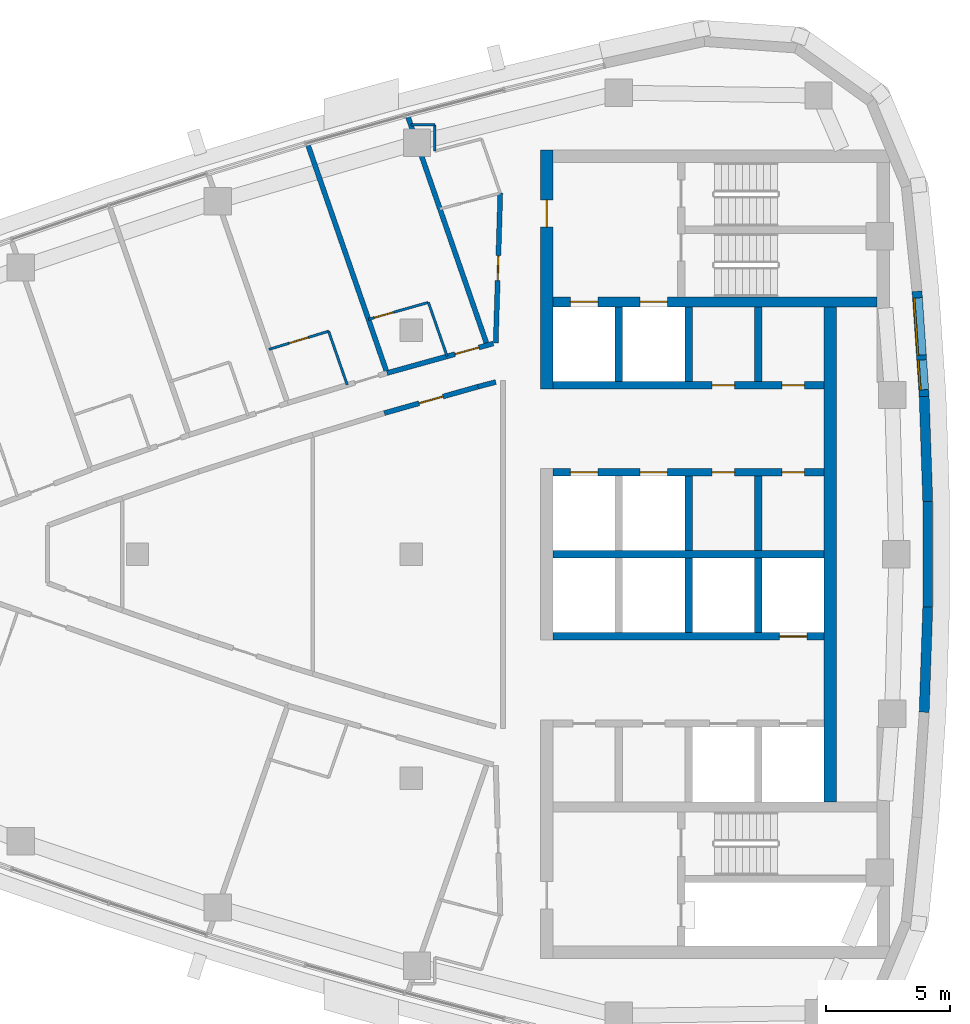
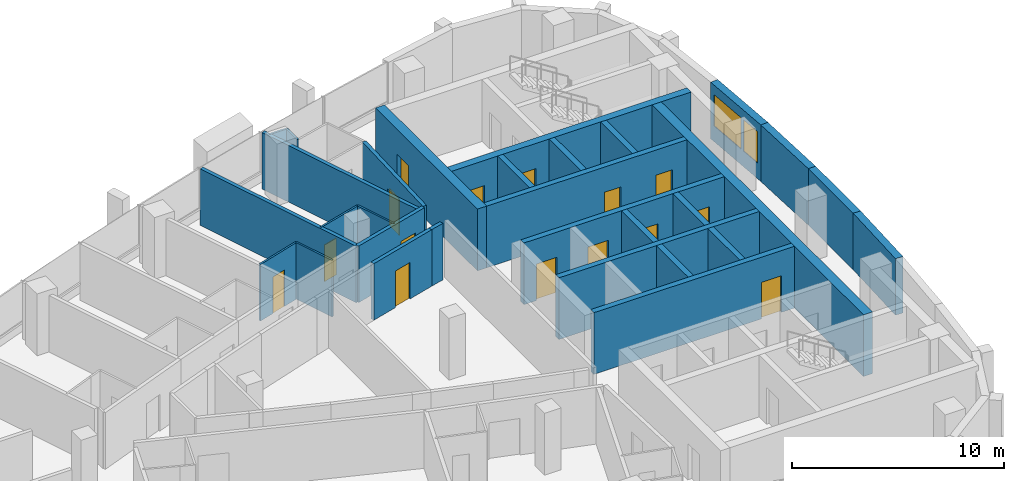
# One storey, part 9 of 14: 30 walls, 15 doors, 2 windows, 17 openings.
"""IFC4 building model written with IfcOpenShell, lengths in metres."""

from ifc_helpers import new_model, si_unit, direction, frame, frame_2d, origin, place, context, subcontext, project, spatial, polyline, rectangle, outline, extrude, material, layer, layer_set, type_object, element, fill, save


model = new_model("IFC4")

# Units and contexts
model_context = context("Model", 3, precision=1e-05, world=origin(), true_north=direction((0.0, 1.0)))
body_context = subcontext(model_context, "Body", "Model", "MODEL_VIEW")
ifc_project = project(units=[si_unit("LENGTHUNIT", "METRE"), si_unit("AREAUNIT", "SQUARE_METRE"), si_unit("VOLUMEUNIT", "CUBIC_METRE"), si_unit("PLANEANGLEUNIT", "RADIAN"), si_unit("MASSUNIT", "GRAM", prefix="KILO")], contexts=[model_context])

# Site, building, storey
site_placement = place(None, origin())
site = spatial("IfcSite", under=ifc_project, at=site_placement, CompositionType="ELEMENT")
building_placement = place(site_placement, origin())
building = spatial("IfcBuilding", under=site, at=building_placement, Name="Ostrand Prow Hotel Tower", CompositionType="ELEMENT")
storey_placement = place(building_placement, frame((0.0, 0.0, 289.199951171875)))
storey = spatial("IfcBuildingStorey", under=building, at=storey_placement, Name="L73", CompositionType="ELEMENT", Elevation=289.199951171875)

# Wall
ifc_material_1 = material(Name="Concrete C50/60", Category="concrete")
ifc_layer_1 = layer(ifc_material_1, 0.300048828125)
ifc_layer_set_1 = layer_set([ifc_layer_1], Name="Concrete C50/60")
wall_type_1 = type_object("IfcWallType", Name="Core wall 300 C50/60", PredefinedType="SHEAR", material=ifc_layer_set_1)
wall_1_placement = place(storey_placement, frame((50.699951171875, 0.0, 0.0), z_axis=(0.0, 0.0, 1.0), x_axis=(1.0, 0.0, 0.0)))
element("IfcWall", 1, at=wall_1_placement, inside=storey, type_object=wall_type_1, Name="Core wall PW-C", PredefinedType="SHEAR", context=body_context, shape_type="SweptSolid", body=[
    extrude(rectangle(XDim=10.900146484375, YDim=0.300048828125, at=frame_2d((5.4501953125, 0.0))), origin(), (0.0, 0.0, 1.0), 3.550048828125),
])

# Wall, openings, doors
wall_2_placement = place(storey_placement, frame((50.699951171875, 3.300048828125, 0.0), z_axis=(0.0, 0.0, 1.0), x_axis=(1.0, 0.0, 0.0)))
wall_2 = element("IfcWall", 2, at=wall_2_placement, inside=storey, type_object=wall_type_1, Name="Core wall PW-L1-N", PredefinedType="SHEAR", context=body_context, shape_type="SweptSolid", body=[
    extrude(rectangle(XDim=10.900146484375, YDim=0.300048828125, at=frame_2d((5.4501953125, 0.0))), origin(), (0.0, 0.0, 1.0), 3.550048828125),
])
opening_1_placement = place(wall_2_placement, frame((0.699951171875, 0.0, 0.0)))
opening_1 = element("IfcOpeningElement", 3, at=opening_1_placement, cuts=wall_2, Name="Opening LD", PredefinedType="OPENING", context=body_context, shape_type="SweptSolid", body=[
    extrude(rectangle(XDim=1.10009765625, YDim=2.10009765625, at=frame_2d((0.550048828125, 1.050048828125))), frame((0.0, 0.159912109375, 0.0), z_axis=(0.0, -1.0, 0.0), x_axis=(1.0, 0.0, 0.0)), (0.0, 0.0, 1.0), 0.320068359375),
])
opening_2_placement = place(wall_2_placement, frame((3.5, 0.0, 0.0)))
opening_2 = element("IfcOpeningElement", 4, at=opening_2_placement, cuts=wall_2, Name="Opening LD", PredefinedType="OPENING", context=body_context, shape_type="SweptSolid", body=[
    extrude(rectangle(XDim=1.10009765625, YDim=2.10009765625, at=frame_2d((0.550048828125, 1.050048828125))), frame((0.0, 0.159912109375, 0.0), z_axis=(0.0, -1.0, 0.0), x_axis=(1.0, 0.0, 0.0)), (0.0, 0.0, 1.0), 0.320068359375),
])
opening_3_placement = place(wall_2_placement, frame((6.39990234375, 0.0, 0.0)))
opening_3 = element("IfcOpeningElement", 5, at=opening_3_placement, cuts=wall_2, Name="Opening FD2", PredefinedType="OPENING", context=body_context, shape_type="SweptSolid", body=[
    extrude(rectangle(XDim=0.89990234375, YDim=2.10009765625, at=frame_2d((0.449951171875, 1.050048828125))), frame((0.0, 0.159912109375, 0.0), z_axis=(0.0, -1.0, 0.0), x_axis=(1.0, 0.0, 0.0)), (0.0, 0.0, 1.0), 0.320068359375),
])
opening_4_placement = place(wall_2_placement, frame((9.199951171875, 0.0, 0.0)))
opening_4 = element("IfcOpeningElement", 6, at=opening_4_placement, cuts=wall_2, Name="Opening FD2", PredefinedType="OPENING", context=body_context, shape_type="SweptSolid", body=[
    extrude(rectangle(XDim=0.89990234375, YDim=2.10009765625, at=frame_2d((0.449951171875, 1.050048828125))), frame((0.0, 0.159912109375, 0.0), z_axis=(0.0, -1.0, 0.0), x_axis=(1.0, 0.0, 0.0)), (0.0, 0.0, 1.0), 0.320068359375),
])
ifc_material_2 = material(Name="Steel fire door", Category="steel")
door_type_1 = type_object("IfcDoorType", Name="Fire door 900 EI120", OperationType="SINGLE_SWING_LEFT", PredefinedType="DOOR", material=ifc_material_2)
door_1_placement = place(opening_3_placement, origin())
door_1 = element("IfcDoor", 7, at=door_1_placement, inside=storey, type_object=door_type_1, Name="DOOR", OperationType="SINGLE_SWING_LEFT", OverallHeight=2.10009765625, OverallWidth=0.89990234375, PredefinedType="DOOR", context=body_context, shape_type="SweptSolid", body=[
    extrude(rectangle(XDim=0.89990234375, YDim=2.10009765625, at=frame_2d((0.449951171875, 1.050048828125))), frame((0.0, 0.02490234375, 0.0), z_axis=(0.0, -1.0, 0.0), x_axis=(1.0, 0.0, 0.0)), (0.0, 0.0, 1.0), 0.050048828125),
])
fill(opening_3, door_1)
door_2_placement = place(opening_4_placement, origin())
door_2 = element("IfcDoor", 8, at=door_2_placement, inside=storey, type_object=door_type_1, Name="DOOR", OperationType="SINGLE_SWING_LEFT", OverallHeight=2.10009765625, OverallWidth=0.89990234375, PredefinedType="DOOR", context=body_context, shape_type="SweptSolid", body=[
    extrude(rectangle(XDim=0.89990234375, YDim=2.10009765625, at=frame_2d((0.449951171875, 1.050048828125))), frame((0.0, 0.02490234375, 0.0), z_axis=(0.0, -1.0, 0.0), x_axis=(1.0, 0.0, 0.0)), (0.0, 0.0, 1.0), 0.050048828125),
])
fill(opening_4, door_2)
ifc_material_3 = material(Name="Stainless steel door", Category="steel")
door_type_2 = type_object("IfcDoorType", Name="Lift landing door 1100", OperationType="DOUBLE_DOOR_SLIDING", PredefinedType="DOOR", material=ifc_material_3)
door_3_placement = place(opening_1_placement, origin())
door_3 = element("IfcDoor", 9, at=door_3_placement, inside=storey, type_object=door_type_2, Name="LIFT LANDING DOOR", OperationType="DOUBLE_DOOR_SLIDING", OverallHeight=2.10009765625, OverallWidth=1.10009765625, PredefinedType="DOOR", context=body_context, shape_type="SweptSolid", body=[
    extrude(rectangle(XDim=1.10009765625, YDim=2.10009765625, at=frame_2d((0.550048828125, 1.050048828125))), frame((0.0, 0.02490234375, 0.0), z_axis=(0.0, -1.0, 0.0), x_axis=(1.0, 0.0, 0.0)), (0.0, 0.0, 1.0), 0.050048828125),
])
fill(opening_1, door_3)
door_4_placement = place(opening_2_placement, origin())
door_4 = element("IfcDoor", 10, at=door_4_placement, inside=storey, type_object=door_type_2, Name="LIFT LANDING DOOR", OperationType="DOUBLE_DOOR_SLIDING", OverallHeight=2.10009765625, OverallWidth=1.10009765625, PredefinedType="DOOR", context=body_context, shape_type="SweptSolid", body=[
    extrude(rectangle(XDim=1.10009765625, YDim=2.10009765625, at=frame_2d((0.550048828125, 1.050048828125))), frame((0.0, 0.02490234375, 0.0), z_axis=(0.0, -1.0, 0.0), x_axis=(1.0, 0.0, 0.0)), (0.0, 0.0, 1.0), 0.050048828125),
])
fill(opening_2, door_4)

wall_3_placement = place(storey_placement, frame((50.699951171875, 6.800048828125, 0.0), z_axis=(0.0, 0.0, 1.0), x_axis=(1.0, 0.0, 0.0)))
wall_3 = element("IfcWall", 11, at=wall_3_placement, inside=storey, type_object=wall_type_1, Name="Core wall PW-L2-N", PredefinedType="SHEAR", context=body_context, shape_type="SweptSolid", body=[
    extrude(rectangle(XDim=10.900146484375, YDim=0.300048828125, at=frame_2d((5.4501953125, 0.0))), origin(), (0.0, 0.0, 1.0), 3.550048828125),
])
opening_5_placement = place(wall_3_placement, frame((6.39990234375, 0.0, 0.0)))
opening_5 = element("IfcOpeningElement", 12, at=opening_5_placement, cuts=wall_3, Name="Opening FD2", PredefinedType="OPENING", context=body_context, shape_type="SweptSolid", body=[
    extrude(rectangle(XDim=0.89990234375, YDim=2.10009765625, at=frame_2d((0.449951171875, 1.050048828125))), frame((0.0, 0.159912109375, 0.0), z_axis=(0.0, -1.0, 0.0), x_axis=(1.0, 0.0, 0.0)), (0.0, 0.0, 1.0), 0.320068359375),
])
opening_6_placement = place(wall_3_placement, frame((9.199951171875, 0.0, 0.0)))
opening_6 = element("IfcOpeningElement", 13, at=opening_6_placement, cuts=wall_3, Name="Opening FD2", PredefinedType="OPENING", context=body_context, shape_type="SweptSolid", body=[
    extrude(rectangle(XDim=0.89990234375, YDim=2.10009765625, at=frame_2d((0.449951171875, 1.050048828125))), frame((0.0, 0.159912109375, 0.0), z_axis=(0.0, -1.0, 0.0), x_axis=(1.0, 0.0, 0.0)), (0.0, 0.0, 1.0), 0.320068359375),
])
door_5_placement = place(opening_5_placement, origin())
door_5 = element("IfcDoor", 14, at=door_5_placement, inside=storey, type_object=door_type_1, Name="DOOR", OperationType="SINGLE_SWING_LEFT", OverallHeight=2.10009765625, OverallWidth=0.89990234375, PredefinedType="DOOR", context=body_context, shape_type="SweptSolid", body=[
    extrude(rectangle(XDim=0.89990234375, YDim=2.10009765625, at=frame_2d((0.449951171875, 1.050048828125))), frame((0.0, 0.02490234375, 0.0), z_axis=(0.0, -1.0, 0.0), x_axis=(1.0, 0.0, 0.0)), (0.0, 0.0, 1.0), 0.050048828125),
])
fill(opening_5, door_5)
door_6_placement = place(opening_6_placement, origin())
door_6 = element("IfcDoor", 15, at=door_6_placement, inside=storey, type_object=door_type_1, Name="DOOR", OperationType="SINGLE_SWING_LEFT", OverallHeight=2.10009765625, OverallWidth=0.89990234375, PredefinedType="DOOR", context=body_context, shape_type="SweptSolid", body=[
    extrude(rectangle(XDim=0.89990234375, YDim=2.10009765625, at=frame_2d((0.449951171875, 1.050048828125))), frame((0.0, 0.02490234375, 0.0), z_axis=(0.0, -1.0, 0.0), x_axis=(1.0, 0.0, 0.0)), (0.0, 0.0, 1.0), 0.050048828125),
])
fill(opening_6, door_6)

# Walls
for number, where, z_axis, x_axis, name in (
    (16, (53.35009765625, 6.949951171875, 0.0), (0.0, 0.0, 1.0), (0.0, 1.0, 0.0), "Core wall PW-R1-NA"),
    (17, (56.14990234375, 0.14990234375, 0.0), (0.0, 0.0, 1.0), (0.0, 1.0, 0.0), "Core wall PW-R2-NB"),
    (18, (56.14990234375, 6.949951171875, 0.0), (0.0, 0.0, 1.0), (0.0, 1.0, 0.0), "Core wall PW-R2-NA"),
    (19, (58.949951171875, 0.14990234375, 0.0), (0.0, 0.0, 1.0), (0.0, 1.0, 0.0), "Core wall PW-R3-NB"),
    (20, (58.949951171875, 6.949951171875, 0.0), (0.0, 0.0, 1.0), (0.0, 1.0, 0.0), "Core wall PW-R3-NA"),
):
    element("IfcWall", number, at=place(storey_placement, frame(where, z_axis=z_axis, x_axis=x_axis)), inside=storey, type_object=wall_type_1, Name=name, PredefinedType="SHEAR", context=body_context, shape_type="SweptSolid", body=[
        extrude(rectangle(XDim=3.0, YDim=0.300048828125, at=frame_2d((1.5, 0.0))), origin(), (0.0, 0.0, 1.0), 3.550048828125),
    ])

# Wall, opening, door
wall_4_placement = place(storey_placement, frame((50.699951171875, -3.300048828125, 0.0), z_axis=(0.0, 0.0, 1.0), x_axis=(1.0, 0.0, 0.0)))
wall_4 = element("IfcWall", 21, at=wall_4_placement, inside=storey, type_object=wall_type_1, Name="Core wall PW-L1-S", PredefinedType="SHEAR", context=body_context, shape_type="SweptSolid", body=[
    extrude(rectangle(XDim=10.900146484375, YDim=0.300048828125, at=frame_2d((5.4501953125, 0.0))), origin(), (0.0, 0.0, 1.0), 3.550048828125),
])
opening_7_placement = place(wall_4_placement, frame((9.10009765625, 0.0, 0.0)))
opening_7 = element("IfcOpeningElement", 22, at=opening_7_placement, cuts=wall_4, Name="Opening LD", PredefinedType="OPENING", context=body_context, shape_type="SweptSolid", body=[
    extrude(rectangle(XDim=1.10009765625, YDim=2.10009765625, at=frame_2d((0.550048828125, 1.050048828125))), frame((0.0, 0.159912109375, 0.0), z_axis=(0.0, -1.0, 0.0), x_axis=(1.0, 0.0, 0.0)), (0.0, 0.0, 1.0), 0.320068359375),
])
door_7_placement = place(opening_7_placement, origin())
door_7 = element("IfcDoor", 23, at=door_7_placement, inside=storey, type_object=door_type_2, Name="LIFT LANDING DOOR", OperationType="DOUBLE_DOOR_SLIDING", OverallHeight=2.10009765625, OverallWidth=1.10009765625, PredefinedType="DOOR", context=body_context, shape_type="SweptSolid", body=[
    extrude(rectangle(XDim=1.10009765625, YDim=2.10009765625, at=frame_2d((0.550048828125, 1.050048828125))), frame((0.0, 0.02490234375, 0.0), z_axis=(0.0, -1.0, 0.0), x_axis=(1.0, 0.0, 0.0)), (0.0, 0.0, 1.0), 0.050048828125),
])
fill(opening_7, door_7)

# Walls
for number, where, z_axis, x_axis, name in (
    (24, (56.14990234375, -3.14990234375, 0.0), (0.0, 0.0, 1.0), (0.0, 1.0, 0.0), "Core wall PW-R2-SB"),
    (25, (58.949951171875, -3.14990234375, 0.0), (0.0, 0.0, 1.0), (0.0, 1.0, 0.0), "Core wall PW-R3-SB"),
):
    element("IfcWall", number, at=place(storey_placement, frame(where, z_axis=z_axis, x_axis=x_axis)), inside=storey, type_object=wall_type_1, Name=name, PredefinedType="SHEAR", context=body_context, shape_type="SweptSolid", body=[
        extrude(rectangle(XDim=3.0, YDim=0.300048828125, at=frame_2d((1.5, 0.0))), origin(), (0.0, 0.0, 1.0), 3.550048828125),
    ])

# Wall, openings, doors
ifc_material_4 = material(Name="Concrete C50/60", Category="concrete")
ifc_layer_2 = layer(ifc_material_4, 0.39990234375)
ifc_layer_set_2 = layer_set([ifc_layer_2], Name="Concrete C50/60")
wall_type_2 = type_object("IfcWallType", Name="Core wall 400 C50/60", PredefinedType="SHEAR", material=ifc_layer_set_2)
wall_5_placement = place(storey_placement, frame((50.699951171875, 10.14990234375, 0.0), z_axis=(0.0, 0.0, 1.0), x_axis=(1.0, 0.0, 0.0)))
wall_5 = element("IfcWall", 26, at=wall_5_placement, inside=storey, type_object=wall_type_2, Name="Core wall PW-BN", PredefinedType="SHEAR", context=body_context, shape_type="SweptSolid", body=[
    extrude(rectangle(XDim=13.02001953125, YDim=0.39990234375, at=frame_2d((6.510009765625, 0.0))), origin(), (0.0, 0.0, 1.0), 3.550048828125),
])
opening_8_placement = place(wall_5_placement, frame((0.699951171875, 0.0, 0.0)))
opening_8 = element("IfcOpeningElement", 27, at=opening_8_placement, cuts=wall_5, Name="Opening LD", PredefinedType="OPENING", context=body_context, shape_type="SweptSolid", body=[
    extrude(rectangle(XDim=1.10009765625, YDim=2.10009765625, at=frame_2d((0.550048828125, 1.050048828125))), frame((0.0, 0.2099609375, 0.0), z_axis=(0.0, -1.0, 0.0), x_axis=(1.0, 0.0, 0.0)), (0.0, 0.0, 1.0), 0.419921875),
])
opening_9_placement = place(wall_5_placement, frame((3.5, 0.0, 0.0)))
opening_9 = element("IfcOpeningElement", 28, at=opening_9_placement, cuts=wall_5, Name="Opening LD", PredefinedType="OPENING", context=body_context, shape_type="SweptSolid", body=[
    extrude(rectangle(XDim=1.10009765625, YDim=2.10009765625, at=frame_2d((0.550048828125, 1.050048828125))), frame((0.0, 0.2099609375, 0.0), z_axis=(0.0, -1.0, 0.0), x_axis=(1.0, 0.0, 0.0)), (0.0, 0.0, 1.0), 0.419921875),
])
door_8_placement = place(opening_8_placement, origin())
door_8 = element("IfcDoor", 29, at=door_8_placement, inside=storey, type_object=door_type_2, Name="LIFT LANDING DOOR", OperationType="DOUBLE_DOOR_SLIDING", OverallHeight=2.10009765625, OverallWidth=1.10009765625, PredefinedType="DOOR", context=body_context, shape_type="SweptSolid", body=[
    extrude(rectangle(XDim=1.10009765625, YDim=2.10009765625, at=frame_2d((0.550048828125, 1.050048828125))), frame((0.0, 0.02490234375, 0.0), z_axis=(0.0, -1.0, 0.0), x_axis=(1.0, 0.0, 0.0)), (0.0, 0.0, 1.0), 0.050048828125),
])
fill(opening_8, door_8)
door_9_placement = place(opening_9_placement, origin())
door_9 = element("IfcDoor", 30, at=door_9_placement, inside=storey, type_object=door_type_2, Name="LIFT LANDING DOOR", OperationType="DOUBLE_DOOR_SLIDING", OverallHeight=2.10009765625, OverallWidth=1.10009765625, PredefinedType="DOOR", context=body_context, shape_type="SweptSolid", body=[
    extrude(rectangle(XDim=1.10009765625, YDim=2.10009765625, at=frame_2d((0.550048828125, 1.050048828125))), frame((0.0, 0.02490234375, 0.0), z_axis=(0.0, -1.0, 0.0), x_axis=(1.0, 0.0, 0.0)), (0.0, 0.0, 1.0), 0.050048828125),
])
fill(opening_9, door_9)

# Wall, opening, door
ifc_material_5 = material(Name="Concrete C50/60", Category="concrete")
ifc_layer_3 = layer(ifc_material_5, 0.5)
ifc_layer_set_3 = layer_set([ifc_layer_3], Name="Concrete C50/60")
wall_type_3 = type_object("IfcWallType", Name="Core wall 500 C50/60", PredefinedType="SHEAR", material=ifc_layer_set_3)
wall_6_placement = place(storey_placement, frame((50.449951171875, 6.64990234375, 0.0), z_axis=(0.0, 0.0, 1.0), x_axis=(0.0, 1.0, 0.0)))
wall_6 = element("IfcWall", 31, at=wall_6_placement, inside=storey, type_object=wall_type_3, Name="Core wall CW-W-N", PredefinedType="SHEAR", context=body_context, shape_type="SweptSolid", body=[
    extrude(rectangle(XDim=9.60009765625, YDim=0.5, at=frame_2d((4.800048828125, 0.0))), origin(), (0.0, 0.0, 1.0), 3.550048828125),
])
opening_10_placement = place(wall_6_placement, frame((6.5, 0.0, 0.0)))
opening_10 = element("IfcOpeningElement", 32, at=opening_10_placement, cuts=wall_6, Name="Opening FD1", PredefinedType="OPENING", context=body_context, shape_type="SweptSolid", body=[
    extrude(rectangle(XDim=1.10009765625, YDim=2.10009765625, at=frame_2d((0.550048828125, 1.050048828125))), frame((0.0, 0.260009765625, 0.0), z_axis=(0.0, -1.0, 0.0), x_axis=(1.0, 0.0, 0.0)), (0.0, 0.0, 1.0), 0.52001953125),
])
ifc_material_6 = material(Name="Steel fire door", Category="steel")
door_type_3 = type_object("IfcDoorType", Name="Fire door 1100 EI120", OperationType="SINGLE_SWING_RIGHT", PredefinedType="DOOR", material=ifc_material_6)
door_10_placement = place(opening_10_placement, origin())
door_10 = element("IfcDoor", 33, at=door_10_placement, inside=storey, type_object=door_type_3, Name="FIRE DOOR", OperationType="SINGLE_SWING_RIGHT", OverallHeight=2.10009765625, OverallWidth=1.10009765625, PredefinedType="DOOR", context=body_context, shape_type="SweptSolid", body=[
    extrude(rectangle(XDim=1.10009765625, YDim=2.10009765625, at=frame_2d((0.550048828125, 1.050048828125))), frame((0.0, 0.02490234375, 0.0), z_axis=(0.0, -1.0, 0.0), x_axis=(1.0, 0.0, 0.0)), (0.0, 0.0, 1.0), 0.050048828125),
])
fill(opening_10, door_10)

# Wall
wall_7_placement = place(storey_placement, frame((61.85009765625, -9.949951171875, 0.0), z_axis=(0.0, 0.0, 1.0), x_axis=(0.0, 1.0, 0.0)))
element("IfcWall", 34, at=wall_7_placement, inside=storey, type_object=wall_type_3, Name="Core wall CW-E-C", PredefinedType="SHEAR", context=body_context, shape_type="SweptSolid", body=[
    extrude(rectangle(XDim=19.89990234375, YDim=0.5, at=frame_2d((9.949951171875, 0.0))), origin(), (0.0, 0.0, 1.0), 3.550048828125),
])

# Wall, opening, door
ifc_material_7 = material(Name="Plasterboard partition")
ifc_layer_4 = layer(ifc_material_7, 0.10009765625)
ifc_layer_set_4 = layer_set([ifc_layer_4], Name="Plasterboard partition")
wall_type_4 = type_object("IfcWallType", Name="Partition 100 bathroom wall", PredefinedType="PARTITIONING", material=ifc_layer_set_4)
wall_8_placement = place(storey_placement, frame((39.287841796875, 8.23828125, 0.0), z_axis=(0.0, 0.0, 1.0), x_axis=(0.956723503196, 0.290998519638, 0.0)))
wall_8 = element("IfcWall", 35, at=wall_8_placement, inside=storey, type_object=wall_type_4, Name="BATHROOM WALL", PredefinedType="PARTITIONING", context=body_context, shape_type="SweptSolid", body=[
    extrude(rectangle(XDim=2.501708984375, YDim=0.10009765625, at=frame_2d((1.2509765625, 0.0))), origin(), (0.0, 0.0, 1.0), 3.25),
])
opening_11_placement = place(wall_8_placement, frame((0.85009765625, 0.0, 0.0)))
opening_11 = element("IfcOpeningElement", 36, at=opening_11_placement, cuts=wall_8, Name="Opening D2", PredefinedType="OPENING", context=body_context, shape_type="SweptSolid", body=[
    extrude(rectangle(XDim=0.800048828125, YDim=2.10009765625, at=frame_2d((0.39990234375, 1.050048828125))), frame((0.0, 0.06005859375, 0.0), z_axis=(0.0, -1.0, 0.0), x_axis=(1.0, 0.0, 0.0)), (0.0, 0.0, 1.0), 0.1201171875),
])
ifc_material_8 = material(Name="Timber door leaf", Category="wood")
door_type_4 = type_object("IfcDoorType", Name="Bathroom door 800", OperationType="SINGLE_SWING_LEFT", PredefinedType="DOOR", material=ifc_material_8)
door_11_placement = place(opening_11_placement, origin())
door_11 = element("IfcDoor", 37, at=door_11_placement, inside=storey, type_object=door_type_4, Name="DOOR", OperationType="SINGLE_SWING_LEFT", OverallHeight=2.10009765625, OverallWidth=0.800048828125, PredefinedType="DOOR", context=body_context, shape_type="SweptSolid", body=[
    extrude(rectangle(XDim=0.800048828125, YDim=2.10009765625, at=frame_2d((0.39990234375, 1.050048828125))), frame((0.0, 0.02490234375, 0.0), z_axis=(0.0, -1.0, 0.0), x_axis=(1.0, 0.0, 0.0)), (0.0, 0.0, 1.0), 0.050048828125),
])
fill(opening_11, door_11)

# Wall
wall_9_placement = place(storey_placement, frame((41.681396484375, 8.966064453125, 0.0), z_axis=(0.0, 0.0, 1.0), x_axis=(0.327743427431, -0.944766767925, 0.0)))
element("IfcWall", 38, at=wall_9_placement, inside=storey, type_object=wall_type_4, Name="BATHROOM WALL", PredefinedType="PARTITIONING", context=body_context, shape_type="SweptSolid", body=[
    extrude(rectangle(XDim=2.27880859375, YDim=0.10009765625, at=frame_2d((1.139404296875, 0.0))), origin(), (0.0, 0.0, 1.0), 3.25),
])

# Wall, opening, door
wall_10_placement = place(storey_placement, frame((43.28271484375, 9.443603515625, 0.0), z_axis=(0.0, 0.0, 1.0), x_axis=(0.962409173596, 0.271603723424, 0.0)))
wall_10 = element("IfcWall", 39, at=wall_10_placement, inside=storey, type_object=wall_type_4, Name="BATHROOM WALL", PredefinedType="PARTITIONING", context=body_context, shape_type="SweptSolid", body=[
    extrude(rectangle(XDim=2.50439453125, YDim=0.10009765625, at=frame_2d((1.252197265625, 0.0))), origin(), (0.0, 0.0, 1.0), 3.25),
])
opening_12_placement = place(wall_10_placement, frame((0.25, 0.0, 0.0)))
opening_12 = element("IfcOpeningElement", 40, at=opening_12_placement, cuts=wall_10, Name="Opening D2", PredefinedType="OPENING", context=body_context, shape_type="SweptSolid", body=[
    extrude(rectangle(XDim=0.800048828125, YDim=2.10009765625, at=frame_2d((0.39990234375, 1.050048828125))), frame((0.0, 0.06005859375, 0.0), z_axis=(0.0, -1.0, 0.0), x_axis=(1.0, 0.0, 0.0)), (0.0, 0.0, 1.0), 0.1201171875),
])
door_12_placement = place(opening_12_placement, origin())
door_12 = element("IfcDoor", 41, at=door_12_placement, inside=storey, type_object=door_type_4, Name="DOOR", OperationType="SINGLE_SWING_LEFT", OverallHeight=2.10009765625, OverallWidth=0.800048828125, PredefinedType="DOOR", context=body_context, shape_type="SweptSolid", body=[
    extrude(rectangle(XDim=0.800048828125, YDim=2.10009765625, at=frame_2d((0.39990234375, 1.050048828125))), frame((0.0, 0.02490234375, 0.0), z_axis=(0.0, -1.0, 0.0), x_axis=(1.0, 0.0, 0.0)), (0.0, 0.0, 1.0), 0.050048828125),
])
fill(opening_12, door_12)

# Walls
wall_11_placement = place(storey_placement, frame((45.69287109375, 10.123779296875, 0.0), z_axis=(0.0, 0.0, 1.0), x_axis=(0.327764902685, -0.944759317799, 0.0)))
element("IfcWall", 42, at=wall_11_placement, inside=storey, type_object=wall_type_4, Name="BATHROOM WALL", PredefinedType="PARTITIONING", context=body_context, shape_type="SweptSolid", body=[
    extrude(rectangle(XDim=2.28076171875, YDim=0.10009765625, at=frame_2d((1.140380859375, 0.0))), origin(), (0.0, 0.0, 1.0), 3.25),
])
wall_12_placement = place(storey_placement, frame((44.98486328125, 17.258544921875, 0.0), z_axis=(0.0, 0.0, 1.0), x_axis=(1.0, 0.0, 0.0)))
element("IfcWall", 43, at=wall_12_placement, inside=storey, type_object=wall_type_4, Name="BATHROOM WALL", PredefinedType="PARTITIONING", context=body_context, shape_type="SweptSolid", body=[
    extrude(rectangle(XDim=0.9697265625, YDim=0.10009765625, at=frame_2d((0.48486328125, 0.0))), origin(), (0.0, 0.0, 1.0), 3.25),
])
wall_13_placement = place(storey_placement, frame((45.95458984375, 17.258544921875, 0.0), z_axis=(0.0, 0.0, 1.0), x_axis=(0.0, -1.0, 0.0)))
element("IfcWall", 44, at=wall_13_placement, inside=storey, type_object=wall_type_4, Name="BATHROOM WALL", PredefinedType="PARTITIONING", context=body_context, shape_type="SweptSolid", body=[
    extrude(rectangle(XDim=1.051025390625, YDim=0.10009765625, at=frame_2d((0.525390625, 0.0))), origin(), (0.0, 0.0, 1.0), 3.25),
])

# Wall, opening, door
ifc_material_9 = material(Name="Plasterboard partition")
ifc_layer_5 = layer(ifc_material_9, 0.199951171875)
ifc_layer_set_5 = layer_set([ifc_layer_5], Name="Plasterboard partition")
wall_type_5 = type_object("IfcWallType", Name="Partition 200 corridor wall", PredefinedType="PARTITIONING", material=ifc_layer_set_5)
wall_14_placement = place(storey_placement, frame((48.29931640625, 8.472900390625, 0.0), z_axis=(0.0, 0.0, 1.0), x_axis=(-0.96343417102, -0.267945140115, 0.0)))
wall_14 = element("IfcWall", 45, at=wall_14_placement, inside=storey, type_object=wall_type_5, Name="CORRIDOR WALL", PredefinedType="PARTITIONING", context=body_context, shape_type="SweptSolid", body=[
    extrude(rectangle(XDim=4.43017578125, YDim=0.199951171875, at=frame_2d((2.215087890625, 0.0))), origin(), (0.0, 0.0, 1.0), 3.25),
])
opening_13_placement = place(wall_14_placement, frame((0.60302734375, 0.0, 0.0)))
opening_13 = element("IfcOpeningElement", 46, at=opening_13_placement, cuts=wall_14, Name="Opening D1R", PredefinedType="OPENING", context=body_context, shape_type="SweptSolid", body=[
    extrude(rectangle(XDim=1.0, YDim=2.10009765625, at=frame_2d((0.5, 1.050048828125))), frame((0.0, 0.10986328125, 0.0), z_axis=(0.0, -1.0, 0.0), x_axis=(1.0, 0.0, 0.0)), (0.0, 0.0, 1.0), 0.219970703125),
])
ifc_material_10 = material(Name="Timber door leaf", Category="wood")
door_type_5 = type_object("IfcDoorType", Name="Guest room door 1000 right", OperationType="SINGLE_SWING_RIGHT", PredefinedType="DOOR", material=ifc_material_10)
door_13_placement = place(opening_13_placement, origin())
door_13 = element("IfcDoor", 47, at=door_13_placement, inside=storey, type_object=door_type_5, Name="DOOR", OperationType="SINGLE_SWING_RIGHT", OverallHeight=2.10009765625, OverallWidth=1.0, PredefinedType="DOOR", context=body_context, shape_type="SweptSolid", body=[
    extrude(rectangle(XDim=1.0, YDim=2.10009765625, at=frame_2d((0.5, 1.050048828125))), frame((0.0, 0.02490234375, 0.0), z_axis=(0.0, -1.0, 0.0), x_axis=(1.0, 0.0, 0.0)), (0.0, 0.0, 1.0), 0.050048828125),
])
fill(opening_13, door_13)

wall_15_placement = place(storey_placement, frame((43.91845703125, 5.6748046875, 0.0), z_axis=(0.0, 0.0, 1.0), x_axis=(0.962411212211, 0.271596499628, 0.0)))
wall_15 = element("IfcWall", 48, at=wall_15_placement, inside=storey, type_object=wall_type_5, Name="CORRIDOR WALL", PredefinedType="PARTITIONING", context=body_context, shape_type="SweptSolid", body=[
    extrude(rectangle(XDim=3.912841796875, YDim=0.199951171875, at=frame_2d((1.95654296875, 0.0))), origin(), (0.0, 0.0, 1.0), 3.25),
])
opening_14_placement = place(wall_15_placement, frame((1.45654296875, 0.0, 0.0)))
opening_14 = element("IfcOpeningElement", 49, at=opening_14_placement, cuts=wall_15, Name="Opening D1", PredefinedType="OPENING", context=body_context, shape_type="SweptSolid", body=[
    extrude(rectangle(XDim=1.0, YDim=2.10009765625, at=frame_2d((0.5, 1.050048828125))), frame((0.0, 0.10986328125, 0.0), z_axis=(0.0, -1.0, 0.0), x_axis=(1.0, 0.0, 0.0)), (0.0, 0.0, 1.0), 0.219970703125),
])
ifc_material_11 = material(Name="Timber door leaf", Category="wood")
door_type_6 = type_object("IfcDoorType", Name="Guest room door 1000", OperationType="SINGLE_SWING_LEFT", PredefinedType="DOOR", material=ifc_material_11)
door_14_placement = place(opening_14_placement, origin())
door_14 = element("IfcDoor", 50, at=door_14_placement, inside=storey, type_object=door_type_6, Name="DOOR", OperationType="SINGLE_SWING_LEFT", OverallHeight=2.10009765625, OverallWidth=1.0, PredefinedType="DOOR", context=body_context, shape_type="SweptSolid", body=[
    extrude(rectangle(XDim=1.0, YDim=2.10009765625, at=frame_2d((0.5, 1.050048828125))), frame((0.0, 0.02490234375, 0.0), z_axis=(0.0, -1.0, 0.0), x_axis=(1.0, 0.0, 0.0)), (0.0, 0.0, 1.0), 0.050048828125),
])
fill(opening_14, door_14)

# Wall
wall_16_placement = place(storey_placement, frame((47.684326171875, 6.737548828125, 0.0), z_axis=(0.0, 0.0, 1.0), x_axis=(0.967585713416, 0.252542842294, 0.0)))
element("IfcWall", 51, at=wall_16_placement, inside=storey, type_object=wall_type_5, Name="CORRIDOR WALL", PredefinedType="PARTITIONING", context=body_context, shape_type="SweptSolid", body=[
    extrude(rectangle(XDim=0.739501953125, YDim=0.199951171875, at=frame_2d((0.36962890625, 0.0))), origin(), (0.0, 0.0, 1.0), 3.25),
])

# Wall, opening, door
wall_17_placement = place(storey_placement, frame((48.58251953125, 14.515625, 0.0), z_axis=(0.0, 0.0, 1.0), x_axis=(-0.030318578026, -0.999540286245, 0.0)))
wall_17 = element("IfcWall", 52, at=wall_17_placement, inside=storey, type_object=wall_type_5, Name="CORRIDOR WALL", PredefinedType="PARTITIONING", context=body_context, shape_type="SweptSolid", body=[
    extrude(rectangle(XDim=6.023193359375, YDim=0.199951171875, at=frame_2d((3.01171875, 0.0))), origin(), (0.0, 0.0, 1.0), 3.25),
])
opening_15_placement = place(wall_17_placement, frame((2.511962890625, 0.0, 0.0)))
opening_15 = element("IfcOpeningElement", 53, at=opening_15_placement, cuts=wall_17, Name="Opening D1R", PredefinedType="OPENING", context=body_context, shape_type="SweptSolid", body=[
    extrude(rectangle(XDim=1.0, YDim=2.10009765625, at=frame_2d((0.5, 1.050048828125))), frame((0.0, 0.10986328125, 0.0), z_axis=(0.0, -1.0, 0.0), x_axis=(1.0, 0.0, 0.0)), (0.0, 0.0, 1.0), 0.219970703125),
])
door_15_placement = place(opening_15_placement, origin())
door_15 = element("IfcDoor", 54, at=door_15_placement, inside=storey, type_object=door_type_5, Name="DOOR", OperationType="SINGLE_SWING_RIGHT", OverallHeight=2.10009765625, OverallWidth=1.0, PredefinedType="DOOR", context=body_context, shape_type="SweptSolid", body=[
    extrude(rectangle(XDim=1.0, YDim=2.10009765625, at=frame_2d((0.5, 1.050048828125))), frame((0.0, 0.02490234375, 0.0), z_axis=(0.0, -1.0, 0.0), x_axis=(1.0, 0.0, 0.0)), (0.0, 0.0, 1.0), 0.050048828125),
])
fill(opening_15, door_15)

# Walls
ifc_material_12 = material(Name="Plasterboard partition")
ifc_layer_6 = layer(ifc_material_12, 0.199951171875)
ifc_layer_set_6 = layer_set([ifc_layer_6], Name="Plasterboard partition")
wall_type_6 = type_object("IfcWallType", Name="Partition 200 key partition", PredefinedType="PARTITIONING", material=ifc_layer_set_6)
wall_18_placement = place(storey_placement, frame((44.037841796875, 7.266845703125, 0.0), z_axis=(0.0, 0.0, 1.0), x_axis=(-0.327714576096, 0.944776776077, 0.0)))
element("IfcWall", 55, at=wall_18_placement, inside=storey, type_object=wall_type_6, Name="KEY PARTITION", PredefinedType="PARTITIONING", context=body_context, shape_type="SweptSolid", body=[
    extrude(rectangle(XDim=9.716796875, YDim=0.199951171875, at=frame_2d((4.8583984375, 0.0))), origin(), (0.0, 0.0, 1.0), 3.25),
])
wall_19_placement = place(storey_placement, frame((48.02294921875, 8.5, 0.0), z_axis=(0.0, 0.0, 1.0), x_axis=(-0.327705598625, 0.944779890043, 0.0)))
element("IfcWall", 56, at=wall_19_placement, inside=storey, type_object=wall_type_6, Name="KEY PARTITION", PredefinedType="PARTITIONING", context=body_context, shape_type="SweptSolid", body=[
    extrude(rectangle(XDim=9.60986328125, YDim=0.199951171875, at=frame_2d((4.804931640625, 0.0))), origin(), (0.0, 0.0, 1.0), 3.25),
])
ifc_material_13 = material(Name="Precast concrete C40/50", Category="concrete")
ifc_layer_7 = layer(ifc_material_13, 0.39990234375)
ifc_layer_set_7 = layer_set([ifc_layer_7], Name="Precast concrete C40/50")
wall_type_7 = type_object("IfcWallType", Name="Stone-faced precast wall 400 mm", PredefinedType="NOTDEFINED", material=ifc_layer_set_7)
for number, where, z_axis, x_axis, name in (
    (57, (65.6201171875, -6.34765625, 0.0), (0.0, 0.0, 1.0), (0.034082898699, 0.999419009233, 0.0), "Stone-faced wall back 7"),
    (58, (65.764404296875, -2.11669921875, 0.0), (0.0, 0.0, 1.0), (0.0, 1.0, 0.0), "Stone-faced wall back 8"),
    (59, (65.764404296875, 2.11669921875, 0.0), (0.0, 0.0, 1.0), (-0.034082898699, 0.999419009233, 0.0), "Stone-faced wall back 9"),
):
    element("IfcWall", number, at=place(storey_placement, frame(where, z_axis=z_axis, x_axis=x_axis)), inside=storey, type_object=wall_type_7, Name=name, PredefinedType="NOTDEFINED", context=body_context, shape_type="SweptSolid", body=[
        extrude(outline(polyline([(-0.00341796875, -0.199951171875), (4.23681640625, -0.199951171875), (4.22998046875, 0.199951171875), (0.00341796875, 0.199951171875), (-0.00341796875, -0.199951171875)])), origin(), (0.0, 0.0, 1.0), 3.25),
    ])

# Wall, openings, windows
wall_20_placement = place(storey_placement, frame((65.6201171875, 6.34765625, 0.0), z_axis=(0.0, 0.0, 1.0), x_axis=(-0.068279584479, 0.997666225921, 0.0)))
wall_20 = element("IfcWall", 60, at=wall_20_placement, inside=storey, type_object=wall_type_7, Name="Stone-faced wall back 10", PredefinedType="NOTDEFINED", context=body_context, shape_type="SweptSolid", body=[
    extrude(outline(polyline([(-0.00341796875, -0.199951171875), (4.23681640625, -0.199951171875), (4.22998046875, 0.199951171875), (0.00341796875, 0.199951171875), (-0.00341796875, -0.199951171875)])), origin(), (0.0, 0.0, 1.0), 3.25),
])
opening_16_placement = place(wall_20_placement, frame((0.2666015625, 0.0, 0.89990234375)))
opening_16 = element("IfcOpeningElement", 61, at=opening_16_placement, cuts=wall_20, Name="Opening WS4", PredefinedType="OPENING", context=body_context, shape_type="SweptSolid", body=[
    extrude(rectangle(XDim=1.199951171875, YDim=1.800048828125, at=frame_2d((0.60009765625, 0.89990234375))), frame((0.0, 0.2099609375, 0.0), z_axis=(0.0, -1.0, 0.0), x_axis=(1.0, 0.0, 0.0)), (0.0, 0.0, 1.0), 0.419921875),
])
opening_17_placement = place(wall_20_placement, frame((1.666748046875, 0.0, 0.89990234375)))
opening_17 = element("IfcOpeningElement", 62, at=opening_17_placement, cuts=wall_20, Name="Opening WS5-23", PredefinedType="OPENING", context=body_context, shape_type="SweptSolid", body=[
    extrude(rectangle(XDim=2.300048828125, YDim=1.800048828125, at=frame_2d((1.14990234375, 0.89990234375))), frame((0.0, 0.2099609375, 0.0), z_axis=(0.0, -1.0, 0.0), x_axis=(1.0, 0.0, 0.0)), (0.0, 0.0, 1.0), 0.419921875),
])
ifc_material_14 = material(Name="Insulated glass in bronze frame", Category="glass")
window_type_1 = type_object("IfcWindowType", Name="Fixed strip window 2300x1800", PartitioningType="SINGLE_PANEL", PredefinedType="WINDOW", material=ifc_material_14)
window_1_placement = place(opening_17_placement, origin())
window_1 = element("IfcWindow", 63, at=window_1_placement, inside=storey, type_object=window_type_1, Name="Window back 10.2", OverallHeight=1.800048828125, OverallWidth=2.300048828125, PartitioningType="SINGLE_PANEL", PredefinedType="WINDOW", context=body_context, shape_type="SweptSolid", body=[
    extrude(rectangle(XDim=2.300048828125, YDim=1.800048828125, at=frame_2d((1.14990234375, 0.89990234375))), frame((0.0, 0.169921875, 0.0), z_axis=(0.0, -1.0, 0.0), x_axis=(1.0, 0.0, 0.0)), (0.0, 0.0, 1.0), 0.06005859375),
])
fill(opening_17, window_1)
ifc_material_15 = material(Name="Insulated glass in bronze frame", Category="glass")
window_type_2 = type_object("IfcWindowType", Name="Operable strip panel 1200x1800", PartitioningType="SINGLE_PANEL", PredefinedType="WINDOW", material=ifc_material_15)
window_2_placement = place(opening_16_placement, origin())
window_2 = element("IfcWindow", 64, at=window_2_placement, inside=storey, type_object=window_type_2, Name="Window back 10.1", OverallHeight=1.800048828125, OverallWidth=1.199951171875, PartitioningType="SINGLE_PANEL", PredefinedType="WINDOW", context=body_context, shape_type="SweptSolid", body=[
    extrude(rectangle(XDim=1.199951171875, YDim=1.800048828125, at=frame_2d((0.60009765625, 0.89990234375))), frame((0.0, 0.169921875, 0.0), z_axis=(0.0, -1.0, 0.0), x_axis=(1.0, 0.0, 0.0)), (0.0, 0.0, 1.0), 0.06005859375),
])
fill(opening_16, window_2)

save(model, "model.ifc")
